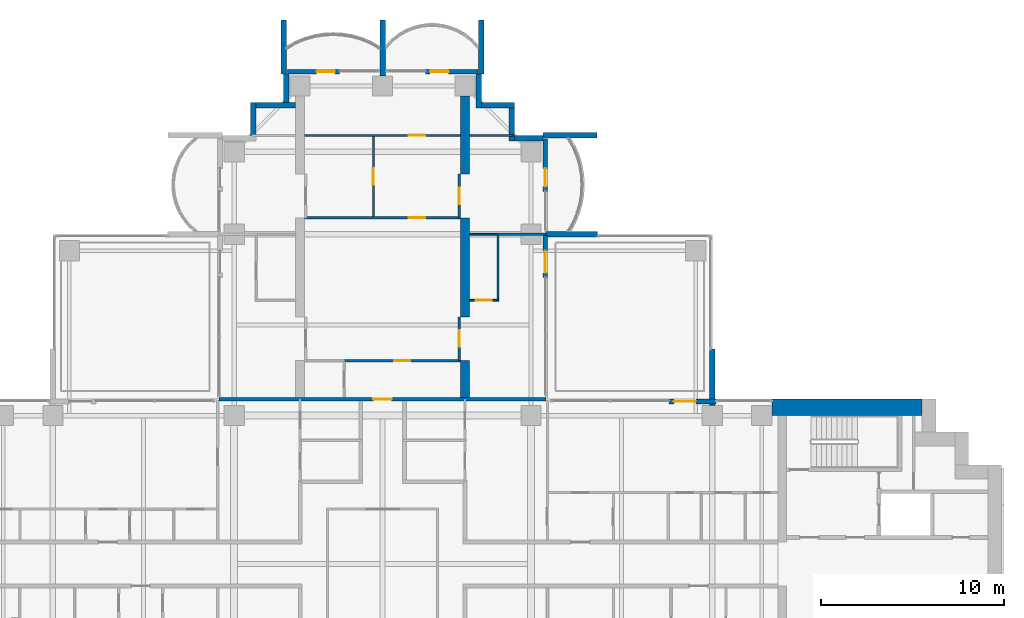
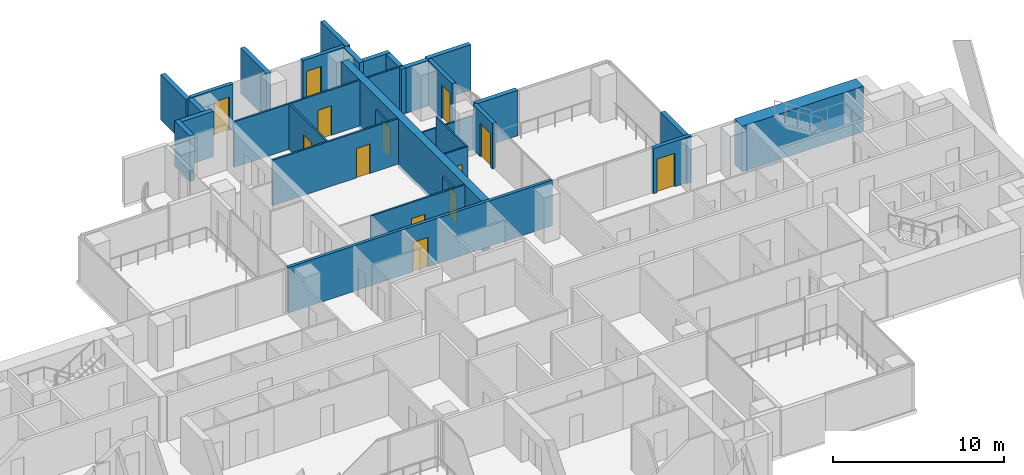
# One storey, part 14 of 19: 32 walls, 13 doors, 13 openings.
"""IFC4 building model written with IfcOpenShell, lengths in metres."""

from ifc_helpers import new_model, si_unit, direction, frame, frame_2d, origin, place, context, subcontext, project, spatial, polyline, rectangle, outline, extrude, material, layer, layer_set, material_profile, profile_set, type_object, element, fill, save


model = new_model("IFC4")

# Units and contexts
model_context = context("Model", 3, precision=1e-05, world=origin(), true_north=direction((0.0, 1.0)))
body_context = subcontext(model_context, "Body", "Model", "MODEL_VIEW")
ifc_project = project(units=[si_unit("LENGTHUNIT", "METRE"), si_unit("AREAUNIT", "SQUARE_METRE"), si_unit("VOLUMEUNIT", "CUBIC_METRE"), si_unit("PLANEANGLEUNIT", "RADIAN"), si_unit("MASSUNIT", "GRAM", prefix="KILO")], contexts=[model_context])

# Site, building, storey
site_placement = place(None, origin())
site = spatial("IfcSite", under=ifc_project, at=site_placement, CompositionType="ELEMENT")
building_placement = place(site_placement, origin())
building = spatial("IfcBuilding", under=site, at=building_placement, Name="Perihelion Cross Residences", CompositionType="ELEMENT")
storey_placement = place(building_placement, frame((0.0, 0.0, 109.39990234375)))
storey = spatial("IfcBuildingStorey", under=building, at=storey_placement, Name="L25", CompositionType="ELEMENT", Elevation=109.39990234375)

# Wall, opening, door
ifc_material_1 = material(Name="Plasterboard partition")
ifc_layer_1 = layer(ifc_material_1, 0.199951171875)
ifc_layer_set_1 = layer_set([ifc_layer_1], Name="Apartment separation wall 200")
wall_type_1 = type_object("IfcWallType", Name="Apartment separation wall 200", PredefinedType="PARTITIONING", material=ifc_layer_set_1)
wall_1_placement = place(storey_placement, frame((-8.919921875, 9.0, 0.0), z_axis=(0.0, 0.0, 1.0), x_axis=(1.0, 0.0, 0.0)))
wall_1 = element("IfcWall", 1, at=wall_1_placement, inside=storey, type_object=wall_type_1, Name="Partition L25 W021", PredefinedType="PARTITIONING", context=body_context, shape_type="SweptSolid", body=[
    extrude(rectangle(XDim=17.83984375, YDim=0.199951171875, at=frame_2d((8.919921875, 0.0))), origin(), (0.0, 0.0, 1.0), 3.25),
])
opening_1_placement = place(wall_1_placement, frame((8.419921875, 0.0, 0.0)))
opening_1 = element("IfcOpeningElement", 2, at=opening_1_placement, cuts=wall_1, Name="Opening L25.A32", PredefinedType="OPENING", context=body_context, shape_type="SweptSolid", body=[
    extrude(rectangle(XDim=1.0, YDim=2.10009765625, at=frame_2d((0.5, 1.050048828125))), frame((0.0, 0.10986328125, 0.0), z_axis=(0.0, -1.0, 0.0), x_axis=(1.0, 0.0, 0.0)), (0.0, 0.0, 1.0), 0.219970703125),
])
ifc_material_2 = material(Name="Timber door leaf", Category="wood")
door_type_1 = type_object("IfcDoorType", Name="Flat entrance door 1000 x 2100", OperationType="SINGLE_SWING_LEFT", PredefinedType="DOOR", material=ifc_material_2)
door_1_placement = place(opening_1_placement, origin())
door_1 = element("IfcDoor", 3, at=door_1_placement, inside=storey, type_object=door_type_1, Name="Door L25.A32", OperationType="SINGLE_SWING_RIGHT", OverallHeight=2.10009765625, OverallWidth=1.0, PredefinedType="DOOR", context=body_context, shape_type="SweptSolid", body=[
    extrude(rectangle(XDim=1.0, YDim=2.10009765625, at=frame_2d((0.5, 1.050048828125))), frame((0.0, 0.02490234375, 0.0), z_axis=(0.0, -1.0, 0.0), x_axis=(1.0, 0.0, 0.0)), (0.0, 0.0, 1.0), 0.050048828125),
])
fill(opening_1, door_1)

ifc_material_3 = material(Name="Concrete C30/37, bronze-clad", Category="concrete")
ifc_layer_2 = layer(ifc_material_3, 0.25)
ifc_layer_set_2 = layer_set([ifc_layer_2], Name="Bronze-clad pier wall 250")
wall_type_2 = type_object("IfcWallType", Name="Bronze-clad pier wall 250", PredefinedType="SOLIDWALL", material=ifc_layer_set_2)
wall_2_placement = place(storey_placement, frame((18.199951171875, 8.875, 0.0), z_axis=(0.0, 0.0, 1.0), x_axis=(-1.0, 0.0, 0.0)))
wall_2 = element("IfcWall", 4, at=wall_2_placement, inside=storey, type_object=wall_type_2, Name="Wall FW1 L25 east side north bay 2 pier", PredefinedType="SOLIDWALL", context=body_context, shape_type="SweptSolid", body=[
    extrude(rectangle(XDim=2.550048828125, YDim=0.25, at=frame_2d((1.27490234375, 0.0))), origin(), (0.0, 0.0, 1.0), 3.25),
])
opening_2_placement = place(wall_2_placement, frame((1.10009765625, 0.0, 0.0)))
opening_2 = element("IfcOpeningElement", 5, at=opening_2_placement, cuts=wall_2, Name="Opening L25.E01", PredefinedType="OPENING", context=body_context, shape_type="SweptSolid", body=[
    extrude(rectangle(XDim=1.199951171875, YDim=2.39990234375, at=frame_2d((0.60009765625, 1.199951171875))), frame((0.0, 0.135009765625, 0.0), z_axis=(0.0, -1.0, 0.0), x_axis=(1.0, 0.0, 0.0)), (0.0, 0.0, 1.0), 0.27001953125),
])
ifc_material_4 = material(Name="Bronze anodised aluminium, glazed", Category="aluminium")
door_type_2 = type_object("IfcDoorType", Name="Balcony door 1200 x 2400", OperationType="NOTDEFINED", PredefinedType="DOOR", material=ifc_material_4)
door_2_placement = place(opening_2_placement, origin())
door_2 = element("IfcDoor", 6, at=door_2_placement, inside=storey, type_object=door_type_2, Name="Door L25.E01 east side north bay 2", OperationType="SINGLE_SWING_RIGHT", OverallHeight=2.39990234375, OverallWidth=1.199951171875, PredefinedType="DOOR", context=body_context, shape_type="SweptSolid", body=[
    extrude(rectangle(XDim=1.199951171875, YDim=2.39990234375, at=frame_2d((0.60009765625, 1.199951171875))), frame((0.0, 0.02490234375, 0.0), z_axis=(0.0, -1.0, 0.0), x_axis=(1.0, 0.0, 0.0)), (0.0, 0.0, 1.0), 0.050048828125),
])
fill(opening_2, door_2)

wall_3_placement = place(storey_placement, frame((8.875, 15.64990234375, 0.0), z_axis=(0.0, 0.0, 1.0), x_axis=(0.0, 1.0, 0.0)))
wall_3 = element("IfcWall", 7, at=wall_3_placement, inside=storey, type_object=wall_type_2, Name="Wall FW1 L25 north side east bay 1 pier", PredefinedType="SOLIDWALL", context=body_context, shape_type="SweptSolid", body=[
    extrude(rectangle(XDim=2.2900390625, YDim=0.25, at=frame_2d((1.14501953125, 0.0))), origin(), (0.0, 0.0, 1.0), 3.25),
])
opening_3_placement = place(wall_3_placement, frame((0.25, 0.0, 0.0)))
opening_3 = element("IfcOpeningElement", 8, at=opening_3_placement, cuts=wall_3, Name="Opening L25.E02", PredefinedType="OPENING", context=body_context, shape_type="SweptSolid", body=[
    extrude(rectangle(XDim=1.199951171875, YDim=2.39990234375, at=frame_2d((0.60009765625, 1.199951171875))), frame((0.0, 0.135009765625, 0.0), z_axis=(0.0, -1.0, 0.0), x_axis=(1.0, 0.0, 0.0)), (0.0, 0.0, 1.0), 0.27001953125),
])
door_3_placement = place(opening_3_placement, origin())
door_3 = element("IfcDoor", 9, at=door_3_placement, inside=storey, type_object=door_type_2, Name="Door L25.E02 north side east bay 1", OperationType="SINGLE_SWING_LEFT", OverallHeight=2.39990234375, OverallWidth=1.199951171875, PredefinedType="DOOR", context=body_context, shape_type="SweptSolid", body=[
    extrude(rectangle(XDim=1.199951171875, YDim=2.39990234375, at=frame_2d((0.60009765625, 1.199951171875))), frame((0.0, 0.02490234375, 0.0), z_axis=(0.0, -1.0, 0.0), x_axis=(1.0, 0.0, 0.0)), (0.0, 0.0, 1.0), 0.050048828125),
])
fill(opening_3, door_3)

wall_4_placement = place(storey_placement, frame((8.875, 20.35009765625, 0.0), z_axis=(0.0, 0.0, 1.0), x_axis=(0.0, 1.0, 0.0)))
wall_4 = element("IfcWall", 10, at=wall_4_placement, inside=storey, type_object=wall_type_2, Name="Wall FW1 L25 north side east bay 2 pier", PredefinedType="SOLIDWALL", context=body_context, shape_type="SweptSolid", body=[
    extrude(rectangle(XDim=2.849853515625, YDim=0.25, at=frame_2d((1.4248046875, 0.0))), origin(), (0.0, 0.0, 1.0), 3.25),
])
opening_4_placement = place(wall_4_placement, frame((0.25, 0.0, 0.0)))
opening_4 = element("IfcOpeningElement", 11, at=opening_4_placement, cuts=wall_4, Name="Opening L25.E03", PredefinedType="OPENING", context=body_context, shape_type="SweptSolid", body=[
    extrude(rectangle(XDim=1.0, YDim=2.39990234375, at=frame_2d((0.5, 1.199951171875))), frame((0.0, 0.135009765625, 0.0), z_axis=(0.0, -1.0, 0.0), x_axis=(1.0, 0.0, 0.0)), (0.0, 0.0, 1.0), 0.27001953125),
])
ifc_material_5 = material(Name="Bronze anodised aluminium, glazed", Category="aluminium")
door_type_3 = type_object("IfcDoorType", Name="Balcony door 1000 x 2400", OperationType="NOTDEFINED", PredefinedType="DOOR", material=ifc_material_5)
door_4_placement = place(opening_4_placement, origin())
door_4 = element("IfcDoor", 12, at=door_4_placement, inside=storey, type_object=door_type_3, Name="Door L25.E03 north side east bay 2", OperationType="SINGLE_SWING_RIGHT", OverallHeight=2.39990234375, OverallWidth=1.0, PredefinedType="DOOR", context=body_context, shape_type="SweptSolid", body=[
    extrude(rectangle(XDim=1.0, YDim=2.39990234375, at=frame_2d((0.5, 1.199951171875))), frame((0.0, 0.02490234375, 0.0), z_axis=(0.0, -1.0, 0.0), x_axis=(1.0, 0.0, 0.0)), (0.0, 0.0, 1.0), 0.050048828125),
])
fill(opening_4, door_4)

wall_5_placement = place(storey_placement, frame((5.199951171875, 26.875, 0.0), z_axis=(0.0, 0.0, 1.0), x_axis=(-1.0, 0.0, 0.0)))
wall_5 = element("IfcWall", 13, at=wall_5_placement, inside=storey, type_object=wall_type_2, Name="Wall FW1 L25 north tip north bay 1 pier", PredefinedType="SOLIDWALL", context=body_context, shape_type="SweptSolid", body=[
    extrude(rectangle(XDim=2.849853515625, YDim=0.25, at=frame_2d((1.4248046875, 0.0))), origin(), (0.0, 0.0, 1.0), 3.25),
])
opening_5_placement = place(wall_5_placement, frame((1.60009765625, 0.0, 0.0)))
opening_5 = element("IfcOpeningElement", 14, at=opening_5_placement, cuts=wall_5, Name="Opening L25.E04", PredefinedType="OPENING", context=body_context, shape_type="SweptSolid", body=[
    extrude(rectangle(XDim=1.0, YDim=2.39990234375, at=frame_2d((0.5, 1.199951171875))), frame((0.0, 0.135009765625, 0.0), z_axis=(0.0, -1.0, 0.0), x_axis=(1.0, 0.0, 0.0)), (0.0, 0.0, 1.0), 0.27001953125),
])
door_5_placement = place(opening_5_placement, origin())
door_5 = element("IfcDoor", 15, at=door_5_placement, inside=storey, type_object=door_type_3, Name="Door L25.E04 north tip north bay 1", OperationType="SINGLE_SWING_LEFT", OverallHeight=2.39990234375, OverallWidth=1.0, PredefinedType="DOOR", context=body_context, shape_type="SweptSolid", body=[
    extrude(rectangle(XDim=1.0, YDim=2.39990234375, at=frame_2d((0.5, 1.199951171875))), frame((0.0, 0.02490234375, 0.0), z_axis=(0.0, -1.0, 0.0), x_axis=(1.0, 0.0, 0.0)), (0.0, 0.0, 1.0), 0.050048828125),
])
fill(opening_5, door_5)

wall_6_placement = place(storey_placement, frame((-2.35009765625, 26.875, 0.0), z_axis=(0.0, 0.0, 1.0), x_axis=(-1.0, 0.0, 0.0)))
wall_6 = element("IfcWall", 16, at=wall_6_placement, inside=storey, type_object=wall_type_2, Name="Wall FW1 L25 north tip north bay 2 pier", PredefinedType="SOLIDWALL", context=body_context, shape_type="SweptSolid", body=[
    extrude(rectangle(XDim=2.849853515625, YDim=0.25, at=frame_2d((1.4248046875, 0.0))), origin(), (0.0, 0.0, 1.0), 3.25),
])
opening_6_placement = place(wall_6_placement, frame((0.25, 0.0, 0.0)))
opening_6 = element("IfcOpeningElement", 17, at=opening_6_placement, cuts=wall_6, Name="Opening L25.E05", PredefinedType="OPENING", context=body_context, shape_type="SweptSolid", body=[
    extrude(rectangle(XDim=1.0, YDim=2.39990234375, at=frame_2d((0.5, 1.199951171875))), frame((0.0, 0.135009765625, 0.0), z_axis=(0.0, -1.0, 0.0), x_axis=(1.0, 0.0, 0.0)), (0.0, 0.0, 1.0), 0.27001953125),
])
door_6_placement = place(opening_6_placement, origin())
door_6 = element("IfcDoor", 18, at=door_6_placement, inside=storey, type_object=door_type_3, Name="Door L25.E05 north tip north bay 2", OperationType="SINGLE_SWING_RIGHT", OverallHeight=2.39990234375, OverallWidth=1.0, PredefinedType="DOOR", context=body_context, shape_type="SweptSolid", body=[
    extrude(rectangle(XDim=1.0, YDim=2.39990234375, at=frame_2d((0.5, 1.199951171875))), frame((0.0, 0.02490234375, 0.0), z_axis=(0.0, -1.0, 0.0), x_axis=(1.0, 0.0, 0.0)), (0.0, 0.0, 1.0), 0.050048828125),
])
fill(opening_6, door_6)

# Walls
ifc_material_6 = material(Name="Concrete C30/37, bronze-clad", Category="concrete")
ifc_layer_3 = layer(ifc_material_6, 0.300048828125)
ifc_layer_set_3 = layer_set([ifc_layer_3], Name="Bronze-clad serration wall 300")
wall_type_3 = type_object("IfcWallType", Name="Bronze-clad serration wall 300", PredefinedType="SOLIDWALL", material=ifc_layer_set_3)
wall_7_placement = place(storey_placement, frame((8.75, 23.25, 0.0), z_axis=(0.0, 0.0, 1.0), x_axis=(-1.0, 0.0, 0.0)))
element("IfcWall", 19, at=wall_7_placement, inside=storey, type_object=wall_type_3, Name="Wall SR1 L25 north corner north-east 1", PredefinedType="SOLIDWALL", context=body_context, shape_type="SweptSolid", body=[
    extrude(rectangle(XDim=1.550048828125, YDim=0.300048828125, at=frame_2d((0.77490234375, 0.0))), origin(), (0.0, 0.0, 1.0), 3.25),
])
wall_8_placement = place(storey_placement, frame((7.050048828125, 23.10009765625, 0.0), z_axis=(0.0, 0.0, 1.0), x_axis=(0.0, 1.0, 0.0)))
element("IfcWall", 20, at=wall_8_placement, inside=storey, type_object=wall_type_3, Name="Wall SR1 L25 north corner north-east 2", PredefinedType="SOLIDWALL", context=body_context, shape_type="SweptSolid", body=[
    extrude(rectangle(XDim=1.7998046875, YDim=0.300048828125, at=frame_2d((0.89990234375, 0.0))), origin(), (0.0, 0.0, 1.0), 3.25),
])
wall_9_placement = place(storey_placement, frame((7.199951171875, 25.050048828125, 0.0), z_axis=(0.0, 0.0, 1.0), x_axis=(-1.0, 0.0, 0.0)))
element("IfcWall", 21, at=wall_9_placement, inside=storey, type_object=wall_type_3, Name="Wall SR1 L25 north corner north-east 3", PredefinedType="SOLIDWALL", context=body_context, shape_type="SweptSolid", body=[
    extrude(rectangle(XDim=1.800048828125, YDim=0.300048828125, at=frame_2d((0.89990234375, 0.0))), origin(), (0.0, 0.0, 1.0), 3.25),
])
wall_10_placement = place(storey_placement, frame((5.25, 24.89990234375, 0.0), z_axis=(0.0, 0.0, 1.0), x_axis=(0.0, 1.0, 0.0)))
element("IfcWall", 22, at=wall_10_placement, inside=storey, type_object=wall_type_3, Name="Wall SR1 L25 north corner north-east 4", PredefinedType="SOLIDWALL", context=body_context, shape_type="SweptSolid", body=[
    extrude(rectangle(XDim=1.85009765625, YDim=0.300048828125, at=frame_2d((0.925048828125, 0.0))), origin(), (0.0, 0.0, 1.0), 3.25),
])
wall_11_placement = place(storey_placement, frame((-5.25, 26.75, 0.0), z_axis=(0.0, 0.0, 1.0), x_axis=(0.0, -1.0, 0.0)))
element("IfcWall", 23, at=wall_11_placement, inside=storey, type_object=wall_type_3, Name="Wall SR1 L25 north corner north-west 1", PredefinedType="SOLIDWALL", context=body_context, shape_type="SweptSolid", body=[
    extrude(rectangle(XDim=1.550048828125, YDim=0.300048828125, at=frame_2d((0.77490234375, 0.0))), origin(), (0.0, 0.0, 1.0), 3.25),
])
wall_12_placement = place(storey_placement, frame((-4.75, 25.050048828125, 0.0), z_axis=(0.0, 0.0, 1.0), x_axis=(-1.0, 0.0, 0.0)))
element("IfcWall", 24, at=wall_12_placement, inside=storey, type_object=wall_type_3, Name="Wall SR1 L25 north corner north-west 2", PredefinedType="SOLIDWALL", context=body_context, shape_type="SweptSolid", body=[
    extrude(rectangle(XDim=2.14990234375, YDim=0.300048828125, at=frame_2d((1.074951171875, 0.0))), origin(), (0.0, 0.0, 1.0), 3.25),
])
wall_13_placement = place(storey_placement, frame((-7.050048828125, 25.199951171875, 0.0), z_axis=(0.0, 0.0, 1.0), x_axis=(0.0, -1.0, 0.0)))
element("IfcWall", 25, at=wall_13_placement, inside=storey, type_object=wall_type_3, Name="Wall SR1 L25 north corner north-west 3", PredefinedType="SOLIDWALL", context=body_context, shape_type="SweptSolid", body=[
    extrude(rectangle(XDim=1.800048828125, YDim=0.300048828125, at=frame_2d((0.89990234375, 0.0))), origin(), (0.0, 0.0, 1.0), 3.25),
])
ifc_material_7 = material(Name="Concrete C60/75", Category="concrete")
ifc_layer_4 = layer(ifc_material_7, 0.89990234375)
ifc_layer_set_4 = layer_set([ifc_layer_4], Name="Core wall, outer 900")
wall_type_4 = type_object("IfcWallType", Name="Core wall, outer 900", PredefinedType="SHEAR", material=ifc_layer_set_4)
wall_14_placement = place(storey_placement, frame((21.25, 8.550048828125, 0.0), z_axis=(0.0, 0.0, 1.0), x_axis=(1.0, 0.0, 0.0)))
element("IfcWall", 26, at=wall_14_placement, inside=storey, type_object=wall_type_4, Name="East core core wall, outer", PredefinedType="SHEAR", context=body_context, shape_type="SweptSolid", body=[
    extrude(rectangle(XDim=8.199951171875, YDim=0.89990234375, at=frame_2d((4.10009765625, 0.0))), origin(), (0.0, 0.0, 1.0), 3.25),
])

# Wall, opening, door
ifc_material_8 = material(Name="Plasterboard partition")
ifc_layer_5 = layer(ifc_material_8, 0.1201171875)
ifc_layer_set_5 = layer_set([ifc_layer_5], Name="Infill panel 120")
wall_type_5 = type_object("IfcWallType", Name="Infill panel 120", PredefinedType="PARTITIONING", material=ifc_layer_set_5)
wall_15_placement = place(storey_placement, frame((4.18994140625, 11.10009765625, 0.0), z_axis=(0.0, 0.0, 1.0), x_axis=(0.0, 1.0, 0.0)))
wall_15 = element("IfcWall", 27, at=wall_15_placement, inside=storey, type_object=wall_type_5, Name="Partition L25 WI01", PredefinedType="PARTITIONING", context=body_context, shape_type="SweptSolid", body=[
    extrude(rectangle(XDim=2.39990234375, YDim=0.1201171875, at=frame_2d((1.199951171875, 0.0))), origin(), (0.0, 0.0, 1.0), 2.400146484375),
])
opening_7_placement = place(wall_15_placement, frame((0.75, 0.0, 0.0)))
opening_7 = element("IfcOpeningElement", 28, at=opening_7_placement, cuts=wall_15, Name="Opening L25.A50", PredefinedType="OPENING", context=body_context, shape_type="SweptSolid", body=[
    extrude(rectangle(XDim=0.89990234375, YDim=2.10009765625, at=frame_2d((0.449951171875, 1.050048828125))), frame((0.0, 0.070068359375, 0.0), z_axis=(0.0, -1.0, 0.0), x_axis=(1.0, 0.0, 0.0)), (0.0, 0.0, 1.0), 0.14013671875),
])
ifc_material_9 = material(Name="Timber door leaf", Category="wood")
door_type_4 = type_object("IfcDoorType", Name="Interior room door 900 x 2100", OperationType="SINGLE_SWING_LEFT", PredefinedType="DOOR", material=ifc_material_9)
door_7_placement = place(opening_7_placement, origin())
door_7 = element("IfcDoor", 29, at=door_7_placement, inside=storey, type_object=door_type_4, Name="Door L25.A50", OperationType="SINGLE_SWING_RIGHT", OverallHeight=2.10009765625, OverallWidth=0.89990234375, PredefinedType="DOOR", context=body_context, shape_type="SweptSolid", body=[
    extrude(rectangle(XDim=0.89990234375, YDim=2.10009765625, at=frame_2d((0.449951171875, 1.050048828125))), frame((0.0, 0.02490234375, 0.0), z_axis=(0.0, -1.0, 0.0), x_axis=(1.0, 0.0, 0.0)), (0.0, 0.0, 1.0), 0.050048828125),
])
fill(opening_7, door_7)

wall_16_placement = place(storey_placement, frame((4.18994140625, 18.89990234375, 0.0), z_axis=(0.0, 0.0, 1.0), x_axis=(0.0, 1.0, 0.0)))
wall_16 = element("IfcWall", 30, at=wall_16_placement, inside=storey, type_object=wall_type_5, Name="Partition L25 WI02", PredefinedType="PARTITIONING", context=body_context, shape_type="SweptSolid", body=[
    extrude(rectangle(XDim=2.400146484375, YDim=0.1201171875, at=frame_2d((1.2001953125, 0.0))), origin(), (0.0, 0.0, 1.0), 2.400146484375),
])
opening_8_placement = place(wall_16_placement, frame((0.75, 0.0, 0.0)))
opening_8 = element("IfcOpeningElement", 31, at=opening_8_placement, cuts=wall_16, Name="Opening L25.A51", PredefinedType="OPENING", context=body_context, shape_type="SweptSolid", body=[
    extrude(rectangle(XDim=0.89990234375, YDim=2.10009765625, at=frame_2d((0.449951171875, 1.050048828125))), frame((0.0, 0.070068359375, 0.0), z_axis=(0.0, -1.0, 0.0), x_axis=(1.0, 0.0, 0.0)), (0.0, 0.0, 1.0), 0.14013671875),
])
door_8_placement = place(opening_8_placement, origin())
door_8 = element("IfcDoor", 32, at=door_8_placement, inside=storey, type_object=door_type_4, Name="Door L25.A51", OperationType="SINGLE_SWING_LEFT", OverallHeight=2.10009765625, OverallWidth=0.89990234375, PredefinedType="DOOR", context=body_context, shape_type="SweptSolid", body=[
    extrude(rectangle(XDim=0.89990234375, YDim=2.10009765625, at=frame_2d((0.449951171875, 1.050048828125))), frame((0.0, 0.02490234375, 0.0), z_axis=(0.0, -1.0, 0.0), x_axis=(1.0, 0.0, 0.0)), (0.0, 0.0, 1.0), 0.050048828125),
])
fill(opening_8, door_8)

ifc_material_10 = material(Name="Plasterboard partition")
ifc_layer_6 = layer(ifc_material_10, 0.1201171875)
ifc_layer_set_6 = layer_set([ifc_layer_6], Name="Partition wall 120")
wall_type_6 = type_object("IfcWallType", Name="Partition wall 120", PredefinedType="PARTITIONING", material=ifc_layer_set_6)
wall_17_placement = place(storey_placement, frame((-2.10009765625, 11.10009765625, 0.0), z_axis=(0.0, 0.0, 1.0), x_axis=(1.0, 0.0, 0.0)))
wall_17 = element("IfcWall", 33, at=wall_17_placement, inside=storey, type_object=wall_type_6, Name="Partition L25 W063", PredefinedType="PARTITIONING", context=body_context, shape_type="SweptSolid", body=[
    extrude(rectangle(XDim=6.35009765625, YDim=0.1201171875, at=frame_2d((3.175048828125, 0.0))), origin(), (0.0, 0.0, 1.0), 3.25),
])
opening_9_placement = place(wall_17_placement, frame((2.72509765625, 0.0, 0.0)))
opening_9 = element("IfcOpeningElement", 34, at=opening_9_placement, cuts=wall_17, Name="Opening L25.A34", PredefinedType="OPENING", context=body_context, shape_type="SweptSolid", body=[
    extrude(rectangle(XDim=0.89990234375, YDim=2.10009765625, at=frame_2d((0.449951171875, 1.050048828125))), frame((0.0, 0.070068359375, 0.0), z_axis=(0.0, -1.0, 0.0), x_axis=(1.0, 0.0, 0.0)), (0.0, 0.0, 1.0), 0.14013671875),
])
door_9_placement = place(opening_9_placement, origin())
door_9 = element("IfcDoor", 35, at=door_9_placement, inside=storey, type_object=door_type_4, Name="Door L25.A34", OperationType="SINGLE_SWING_RIGHT", OverallHeight=2.10009765625, OverallWidth=0.89990234375, PredefinedType="DOOR", context=body_context, shape_type="SweptSolid", body=[
    extrude(rectangle(XDim=0.89990234375, YDim=2.10009765625, at=frame_2d((0.449951171875, 1.050048828125))), frame((0.0, 0.02490234375, 0.0), z_axis=(0.0, -1.0, 0.0), x_axis=(1.0, 0.0, 0.0)), (0.0, 0.0, 1.0), 0.050048828125),
])
fill(opening_9, door_9)

wall_18_placement = place(storey_placement, frame((-4.25, 18.89990234375, 0.0), z_axis=(0.0, 0.0, 1.0), x_axis=(1.0, 0.0, 0.0)))
wall_18 = element("IfcWall", 36, at=wall_18_placement, inside=storey, type_object=wall_type_6, Name="Partition L25 W065", PredefinedType="PARTITIONING", context=body_context, shape_type="SweptSolid", body=[
    extrude(rectangle(XDim=8.5, YDim=0.1201171875, at=frame_2d((4.25, 0.0))), origin(), (0.0, 0.0, 1.0), 3.25),
])
opening_10_placement = place(wall_18_placement, frame((5.675048828125, 0.0, 0.0)))
opening_10 = element("IfcOpeningElement", 37, at=opening_10_placement, cuts=wall_18, Name="Opening L25.A35", PredefinedType="OPENING", context=body_context, shape_type="SweptSolid", body=[
    extrude(rectangle(XDim=0.89990234375, YDim=2.10009765625, at=frame_2d((0.449951171875, 1.050048828125))), frame((0.0, 0.070068359375, 0.0), z_axis=(0.0, -1.0, 0.0), x_axis=(1.0, 0.0, 0.0)), (0.0, 0.0, 1.0), 0.14013671875),
])
door_10_placement = place(opening_10_placement, origin())
door_10 = element("IfcDoor", 38, at=door_10_placement, inside=storey, type_object=door_type_4, Name="Door L25.A35", OperationType="SINGLE_SWING_RIGHT", OverallHeight=2.10009765625, OverallWidth=0.89990234375, PredefinedType="DOOR", context=body_context, shape_type="SweptSolid", body=[
    extrude(rectangle(XDim=0.89990234375, YDim=2.10009765625, at=frame_2d((0.449951171875, 1.050048828125))), frame((0.0, 0.02490234375, 0.0), z_axis=(0.0, -1.0, 0.0), x_axis=(1.0, 0.0, 0.0)), (0.0, 0.0, 1.0), 0.050048828125),
])
fill(opening_10, door_10)

wall_19_placement = place(storey_placement, frame((-0.5, 18.9599609375, 0.0), z_axis=(0.0, 0.0, 1.0), x_axis=(0.0, 1.0, 0.0)))
wall_19 = element("IfcWall", 39, at=wall_19_placement, inside=storey, type_object=wall_type_6, Name="Partition L25 W066", PredefinedType="PARTITIONING", context=body_context, shape_type="SweptSolid", body=[
    extrude(rectangle(XDim=4.380126953125, YDim=0.1201171875, at=frame_2d((2.18994140625, 0.0))), origin(), (0.0, 0.0, 1.0), 3.25),
])
opening_11_placement = place(wall_19_placement, frame((1.739990234375, 0.0, 0.0)))
opening_11 = element("IfcOpeningElement", 40, at=opening_11_placement, cuts=wall_19, Name="Opening L25.A36", PredefinedType="OPENING", context=body_context, shape_type="SweptSolid", body=[
    extrude(rectangle(XDim=0.89990234375, YDim=2.10009765625, at=frame_2d((0.449951171875, 1.050048828125))), frame((0.0, 0.070068359375, 0.0), z_axis=(0.0, -1.0, 0.0), x_axis=(1.0, 0.0, 0.0)), (0.0, 0.0, 1.0), 0.14013671875),
])
door_11_placement = place(opening_11_placement, origin())
door_11 = element("IfcDoor", 41, at=door_11_placement, inside=storey, type_object=door_type_4, Name="Door L25.A36", OperationType="SINGLE_SWING_RIGHT", OverallHeight=2.10009765625, OverallWidth=0.89990234375, PredefinedType="DOOR", context=body_context, shape_type="SweptSolid", body=[
    extrude(rectangle(XDim=0.89990234375, YDim=2.10009765625, at=frame_2d((0.449951171875, 1.050048828125))), frame((0.0, 0.02490234375, 0.0), z_axis=(0.0, -1.0, 0.0), x_axis=(1.0, 0.0, 0.0)), (0.0, 0.0, 1.0), 0.050048828125),
])
fill(opening_11, door_11)

wall_20_placement = place(storey_placement, frame((-4.25, 23.39990234375, 0.0), z_axis=(0.0, 0.0, 1.0), x_axis=(1.0, 0.0, 0.0)))
wall_20 = element("IfcWall", 42, at=wall_20_placement, inside=storey, type_object=wall_type_6, Name="Partition L25 W067", PredefinedType="PARTITIONING", context=body_context, shape_type="SweptSolid", body=[
    extrude(rectangle(XDim=8.5, YDim=0.1201171875, at=frame_2d((4.25, 0.0))), origin(), (0.0, 0.0, 1.0), 3.25),
])
opening_12_placement = place(wall_20_placement, frame((5.675048828125, 0.0, 0.0)))
opening_12 = element("IfcOpeningElement", 43, at=opening_12_placement, cuts=wall_20, Name="Opening L25.A37", PredefinedType="OPENING", context=body_context, shape_type="SweptSolid", body=[
    extrude(rectangle(XDim=0.89990234375, YDim=2.10009765625, at=frame_2d((0.449951171875, 1.050048828125))), frame((0.0, 0.070068359375, 0.0), z_axis=(0.0, -1.0, 0.0), x_axis=(1.0, 0.0, 0.0)), (0.0, 0.0, 1.0), 0.14013671875),
])
door_12_placement = place(opening_12_placement, origin())
door_12 = element("IfcDoor", 44, at=door_12_placement, inside=storey, type_object=door_type_4, Name="Door L25.A37", OperationType="SINGLE_SWING_LEFT", OverallHeight=2.10009765625, OverallWidth=0.89990234375, PredefinedType="DOOR", context=body_context, shape_type="SweptSolid", body=[
    extrude(rectangle(XDim=0.89990234375, YDim=2.10009765625, at=frame_2d((0.449951171875, 1.050048828125))), frame((0.0, 0.02490234375, 0.0), z_axis=(0.0, -1.0, 0.0), x_axis=(1.0, 0.0, 0.0)), (0.0, 0.0, 1.0), 0.050048828125),
])
fill(opening_12, door_12)

# Walls
wall_21_placement = place(storey_placement, frame((6.300048828125, 18.0, 0.0), z_axis=(0.0, 0.0, 1.0), x_axis=(1.0, 0.0, 0.0)))
element("IfcWall", 45, at=wall_21_placement, inside=storey, type_object=wall_type_6, Name="Partition L25 W070", PredefinedType="PARTITIONING", context=body_context, shape_type="SweptSolid", body=[
    extrude(rectangle(XDim=2.619873046875, YDim=0.1201171875, at=frame_2d((1.31005859375, 0.0))), origin(), (0.0, 0.0, 1.0), 2.4140625),
])
wall_22_placement = place(storey_placement, frame((4.75, 23.39990234375, 0.0), z_axis=(0.0, 0.0, 1.0), x_axis=(1.0, 0.0, 0.0)))
element("IfcWall", 46, at=wall_22_placement, inside=storey, type_object=wall_type_6, Name="Partition L25 W072", PredefinedType="PARTITIONING", context=body_context, shape_type="SweptSolid", body=[
    extrude(rectangle(XDim=2.3701171875, YDim=0.1201171875, at=frame_2d((1.18505859375, 0.0))), origin(), (0.0, 0.0, 1.0), 3.25),
])
ifc_material_11 = material(Name="Precast concrete C50/60", Category="concrete")
ifc_layer_7 = layer(ifc_material_11, 0.300048828125)
ifc_layer_set_7 = layer_set([ifc_layer_7], Name="Precast concrete C50/60 blade wall 300")
wall_type_7 = type_object("IfcWallType", Name="Precast concrete C50/60 blade wall 300", PredefinedType="SOLIDWALL", material=ifc_layer_set_7)
wall_23_placement = place(storey_placement, frame((-5.39990234375, 26.75, 0.0), z_axis=(0.0, 0.0, 1.0), x_axis=(0.0, 1.0, 0.0)))
element("IfcWall", 47, at=wall_23_placement, inside=storey, type_object=wall_type_7, Name="Wall BL1 L25 no. 4", PredefinedType="SOLIDWALL", context=body_context, shape_type="SweptSolid", body=[
    extrude(rectangle(XDim=2.949951171875, YDim=0.300048828125, at=frame_2d((1.47509765625, 0.0))), origin(), (0.0, 0.0, 1.0), 3.25),
])
wall_24_placement = place(storey_placement, frame((0.0, 26.64990234375, 0.0), z_axis=(0.0, 0.0, 1.0), x_axis=(0.0, 1.0, 0.0)))
element("IfcWall", 48, at=wall_24_placement, inside=storey, type_object=wall_type_7, Name="Wall BL1 L25 no. 9", PredefinedType="SOLIDWALL", context=body_context, shape_type="SweptSolid", body=[
    extrude(rectangle(XDim=3.050048828125, YDim=0.300048828125, at=frame_2d((1.52490234375, 0.0))), origin(), (0.0, 0.0, 1.0), 3.25),
])
wall_25_placement = place(storey_placement, frame((5.39990234375, 26.75, 0.0), z_axis=(0.0, 0.0, 1.0), x_axis=(0.0, 1.0, 0.0)))
element("IfcWall", 49, at=wall_25_placement, inside=storey, type_object=wall_type_7, Name="Wall BL1 L25 no. 13", PredefinedType="SOLIDWALL", context=body_context, shape_type="SweptSolid", body=[
    extrude(rectangle(XDim=2.949951171875, YDim=0.300048828125, at=frame_2d((1.47509765625, 0.0))), origin(), (0.0, 0.0, 1.0), 3.25),
])
wall_26_placement = place(storey_placement, frame((8.919921875, 18.0, 0.0), z_axis=(0.0, 0.0, 1.0), x_axis=(1.0, 0.0, 0.0)))
element("IfcWall", 50, at=wall_26_placement, inside=storey, type_object=wall_type_7, Name="Wall BL1 L25 no. 15", PredefinedType="SOLIDWALL", context=body_context, shape_type="SweptSolid", body=[
    extrude(rectangle(XDim=2.820068359375, YDim=0.300048828125, at=frame_2d((1.41015625, 0.0))), origin(), (0.0, 0.0, 1.0), 3.25),
])
wall_27_placement = place(storey_placement, frame((8.75, 23.39990234375, 0.0), z_axis=(0.0, 0.0, 1.0), x_axis=(1.0, 0.0, 0.0)))
element("IfcWall", 51, at=wall_27_placement, inside=storey, type_object=wall_type_7, Name="Wall BL1 L25 no. 16", PredefinedType="SOLIDWALL", context=body_context, shape_type="SweptSolid", body=[
    extrude(rectangle(XDim=2.949951171875, YDim=0.300048828125, at=frame_2d((1.47509765625, 0.0))), origin(), (0.0, 0.0, 1.0), 3.25),
])
wall_28_placement = place(storey_placement, frame((18.0, 8.64990234375, 0.0), z_axis=(0.0, 0.0, 1.0), x_axis=(0.0, 1.0, 0.0)))
element("IfcWall", 52, at=wall_28_placement, inside=storey, type_object=wall_type_7, Name="Wall BL1 L25 no. 11", PredefinedType="SOLIDWALL", context=body_context, shape_type="SweptSolid", body=[
    extrude(rectangle(XDim=3.090087890625, YDim=0.300048828125, at=frame_2d((1.544921875, 0.0))), origin(), (0.0, 0.0, 1.0), 3.25),
])
ifc_material_12 = material(Name="Concrete C60/75", Category="concrete")
ifc_material_profile = material_profile(ifc_material_12, outline(polyline([(0.0, 0.0), (2.10009765625, 0.0), (2.10009765625, 2.64990234375), (4.5, 2.64990234375), (4.5, 0.0), (9.89990234375, 0.0), (9.89990234375, 2.64990234375), (12.300048828125, 2.64990234375), (12.300048828125, 0.0), (16.550048828125, 0.0), (16.550048828125, 3.5), (0.0, 3.5), (0.0, 0.0)])), Name="Tip spine wall")
ifc_profile_set = profile_set([ifc_material_profile], Name="Concrete C60/75")
wall_type_8 = type_object("IfcWallType", Name="Tip spine wall 500 with 2 door openings 16550 long 3500 high concrete C60/75", PredefinedType="SHEAR", material=ifc_profile_set)
wall_29_placement = place(storey_placement, frame((4.25, 9.0, -0.25), z_axis=(1.0, 0.0, 0.0), x_axis=(0.0, 1.0, 0.0)))
element("IfcWall", 53, at=wall_29_placement, inside=storey, type_object=wall_type_8, Name="Shear wall SW34 L25 north east", PredefinedType="SHEAR", context=body_context, shape_type="SweptSolid", body=[
    extrude(outline(polyline([(0.0, 0.0), (2.10009765625, 0.0), (2.10009765625, 2.64990234375), (4.5, 2.64990234375), (4.5, 0.0), (9.89990234375, 0.0), (9.89990234375, 2.64990234375), (12.300048828125, 2.64990234375), (12.300048828125, 0.0), (16.550048828125, 0.0), (16.550048828125, 3.5), (0.0, 3.5), (0.0, 0.0)])), origin(), (0.0, 0.0, 1.0), 0.5),
])

# Wall, opening, door
ifc_material_13 = material(Name="Plasterboard partition")
ifc_layer_8 = layer(ifc_material_13, 0.10009765625)
ifc_layer_set_8 = layer_set([ifc_layer_8], Name="Wet room wall 100")
wall_type_9 = type_object("IfcWallType", Name="Wet room wall 100", PredefinedType="PARTITIONING", material=ifc_layer_set_8)
wall_30_placement = place(storey_placement, frame((4.75, 14.39990234375, 0.0), z_axis=(0.0, 0.0, 1.0), x_axis=(1.0, 0.0, 0.0)))
wall_30 = element("IfcWall", 54, at=wall_30_placement, inside=storey, type_object=wall_type_9, Name="Partition L25 W068", PredefinedType="PARTITIONING", context=body_context, shape_type="SweptSolid", body=[
    extrude(rectangle(XDim=1.60009765625, YDim=0.10009765625, at=frame_2d((0.800048828125, 0.0))), origin(), (0.0, 0.0, 1.0), 3.25),
])
opening_13_placement = place(wall_30_placement, frame((0.35009765625, 0.0, 0.0)))
opening_13 = element("IfcOpeningElement", 55, at=opening_13_placement, cuts=wall_30, Name="Opening L25.A38", PredefinedType="OPENING", context=body_context, shape_type="SweptSolid", body=[
    extrude(rectangle(XDim=0.85009765625, YDim=2.10009765625, at=frame_2d((0.425048828125, 1.050048828125))), frame((0.0, 0.06005859375, 0.0), z_axis=(0.0, -1.0, 0.0), x_axis=(1.0, 0.0, 0.0)), (0.0, 0.0, 1.0), 0.1201171875),
])
ifc_material_14 = material(Name="Timber door leaf", Category="wood")
door_type_5 = type_object("IfcDoorType", Name="Interior bathroom door 850 x 2100", OperationType="SINGLE_SWING_LEFT", PredefinedType="DOOR", material=ifc_material_14)
door_13_placement = place(opening_13_placement, origin())
door_13 = element("IfcDoor", 56, at=door_13_placement, inside=storey, type_object=door_type_5, Name="Door L25.A38", OperationType="SINGLE_SWING_RIGHT", OverallHeight=2.10009765625, OverallWidth=0.85009765625, PredefinedType="DOOR", context=body_context, shape_type="SweptSolid", body=[
    extrude(rectangle(XDim=0.85009765625, YDim=2.10009765625, at=frame_2d((0.425048828125, 1.050048828125))), frame((0.0, 0.02490234375, 0.0), z_axis=(0.0, -1.0, 0.0), x_axis=(1.0, 0.0, 0.0)), (0.0, 0.0, 1.0), 0.050048828125),
])
fill(opening_13, door_13)

# Walls
wall_31_placement = place(storey_placement, frame((6.300048828125, 14.449951171875, 0.0), z_axis=(0.0, 0.0, 1.0), x_axis=(0.0, 1.0, 0.0)))
element("IfcWall", 57, at=wall_31_placement, inside=storey, type_object=wall_type_9, Name="Partition L25 W069", PredefinedType="PARTITIONING", context=body_context, shape_type="SweptSolid", body=[
    extrude(rectangle(XDim=3.489990234375, YDim=0.10009765625, at=frame_2d((1.7451171875, 0.0))), origin(), (0.0, 0.0, 1.0), 3.25),
])
wall_32_placement = place(storey_placement, frame((4.75, 18.0, 0.0), z_axis=(0.0, 0.0, 1.0), x_axis=(1.0, 0.0, 0.0)))
element("IfcWall", 58, at=wall_32_placement, inside=storey, type_object=wall_type_9, Name="Partition L25 W071", PredefinedType="PARTITIONING", context=body_context, shape_type="SweptSolid", body=[
    extrude(rectangle(XDim=1.550048828125, YDim=0.10009765625, at=frame_2d((0.77490234375, 0.0))), origin(), (0.0, 0.0, 1.0), 2.4140625),
])

save(model, "model.ifc")
